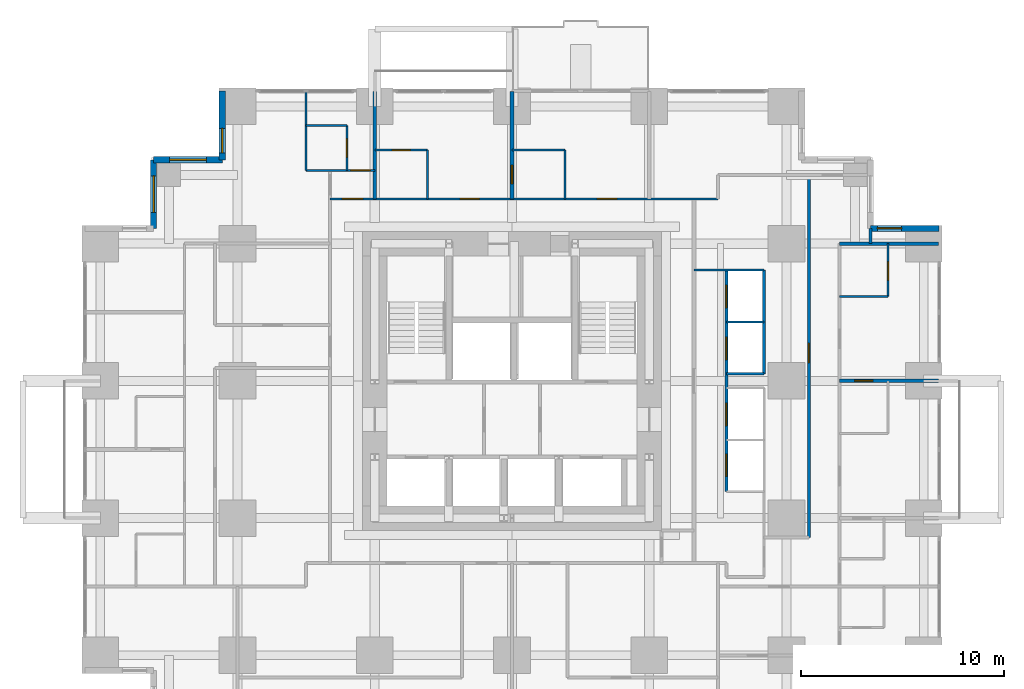
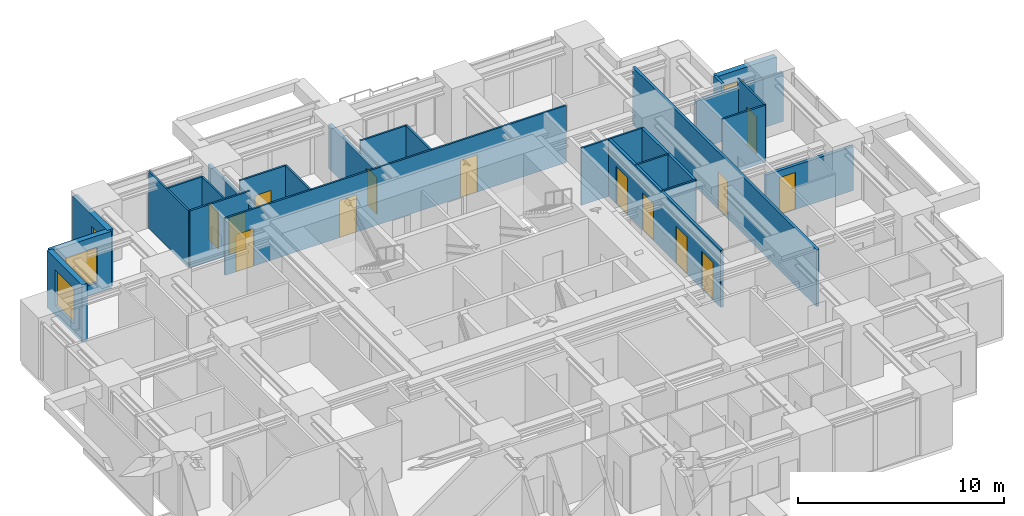
# One storey, part 10 of 12: 26 walls, 14 doors, 4 windows, 18 openings.
"""IFC4 building model written with IfcOpenShell, lengths in metres."""

from ifc_helpers import new_model, si_unit, direction, frame, frame_2d, origin, place, context, subcontext, project, spatial, rectangle, extrude, material, layer, layer_set, type_object, element, fill, save


model = new_model("IFC4")

# Units and contexts
model_context = context("Model", 3, precision=1e-05, world=origin(), true_north=direction((0.0, 1.0)))
body_context = subcontext(model_context, "Body", "Model", "MODEL_VIEW")
ifc_project = project(units=[si_unit("LENGTHUNIT", "METRE"), si_unit("AREAUNIT", "SQUARE_METRE"), si_unit("VOLUMEUNIT", "CUBIC_METRE"), si_unit("PLANEANGLEUNIT", "RADIAN"), si_unit("MASSUNIT", "GRAM", prefix="KILO")], contexts=[model_context])

# Site, building, storey
site_placement = place(None, origin())
site = spatial("IfcSite", under=ifc_project, at=site_placement, CompositionType="ELEMENT")
building_placement = place(site_placement, origin())
building = spatial("IfcBuilding", under=site, at=building_placement, Name="Nyansa Garden Tower", CompositionType="ELEMENT")
storey_placement = place(building_placement, frame((0.0, 0.0, 90.89990234375)))
storey = spatial("IfcBuildingStorey", under=building, at=storey_placement, Name="L24", CompositionType="ELEMENT", Elevation=90.89990234375)

# Wall
ifc_material_1 = material(Name="Dense blockwork, plastered both sides, 55 dB", Category="masonry")
ifc_layer_1 = layer(ifc_material_1, 0.175048828125)
ifc_layer_set_1 = layer_set([ifc_layer_1], Name="Acoustic party wall PW175")
wall_type_1 = type_object("IfcWallType", Name="Acoustic party wall PW175", PredefinedType="PARTITIONING", material=ifc_layer_set_1)
wall_1_placement = place(storey_placement, frame((13.5, 29.199951171875, 0.0), z_axis=(0.0, 0.0, 1.0), x_axis=(0.0, 1.0, 0.0)))
element("IfcWall", 1, at=wall_1_placement, inside=storey, type_object=wall_type_1, Name="Party wall", PredefinedType="PARTITIONING", context=body_context, shape_type="SweptSolid", body=[
    extrude(rectangle(XDim=5.283935546875, YDim=0.175048828125, at=frame_2d((2.64208984375, 0.0))), origin(), (0.0, 0.0, 1.0), 2.610107421875),
])

# Wall, opening, door
wall_2_placement = place(storey_placement, frame((20.25, 29.199951171875, 0.0), z_axis=(0.0, 0.0, 1.0), x_axis=(0.0, 1.0, 0.0)))
wall_2 = element("IfcWall", 2, at=wall_2_placement, inside=storey, type_object=wall_type_1, Name="Party wall", PredefinedType="PARTITIONING", context=body_context, shape_type="SweptSolid", body=[
    extrude(rectangle(XDim=5.283935546875, YDim=0.175048828125, at=frame_2d((2.64208984375, 0.0))), origin(), (0.0, 0.0, 1.0), 2.610107421875),
])
opening_1_placement = place(wall_2_placement, frame((0.75, 0.0, 0.0)))
opening_1 = element("IfcOpeningElement", 3, at=opening_1_placement, cuts=wall_2, Name="Opening D02", PredefinedType="OPENING", context=body_context, shape_type="SweptSolid", body=[
    extrude(rectangle(XDim=0.89990234375, YDim=2.199951171875, at=frame_2d((0.449951171875, 1.10009765625))), frame((0.0, 0.097412109375, 0.0), z_axis=(0.0, -1.0, 0.0), x_axis=(1.0, 0.0, 0.0)), (0.0, 0.0, 1.0), 0.195068359375),
])
ifc_material_2 = material(Name="Timber flush door", Category="wood")
door_type_1 = type_object("IfcDoorType", Name="En-suite door D02 900x2200", OperationType="SINGLE_SWING_RIGHT", PredefinedType="DOOR", material=ifc_material_2)
door_1_placement = place(opening_1_placement, origin())
door_1 = element("IfcDoor", 4, at=door_1_placement, inside=storey, type_object=door_type_1, Name="Door L24-048", OperationType="SINGLE_SWING_RIGHT", OverallHeight=2.199951171875, OverallWidth=0.89990234375, PredefinedType="DOOR", context=body_context, shape_type="SweptSolid", body=[
    extrude(rectangle(XDim=0.89990234375, YDim=2.199951171875, at=frame_2d((0.449951171875, 1.10009765625))), frame((0.0, 0.02490234375, 0.0), z_axis=(0.0, -1.0, 0.0), x_axis=(1.0, 0.0, 0.0)), (0.0, 0.0, 1.0), 0.050048828125),
])
fill(opening_1, door_1)

wall_3_placement = place(storey_placement, frame((36.35009765625, 20.25, 0.0), z_axis=(0.0, 0.0, 1.0), x_axis=(1.0, 0.0, 0.0)))
wall_3 = element("IfcWall", 5, at=wall_3_placement, inside=storey, type_object=wall_type_1, Name="Party wall", PredefinedType="PARTITIONING", context=body_context, shape_type="SweptSolid", body=[
    extrude(rectangle(XDim=4.8837890625, YDim=0.175048828125, at=frame_2d((2.44189453125, 0.0))), origin(), (0.0, 0.0, 1.0), 2.610107421875),
])
opening_2_placement = place(wall_3_placement, frame((0.75, 0.0, 0.0)))
opening_2 = element("IfcOpeningElement", 6, at=opening_2_placement, cuts=wall_3, Name="Opening D02", PredefinedType="OPENING", context=body_context, shape_type="SweptSolid", body=[
    extrude(rectangle(XDim=0.89990234375, YDim=2.199951171875, at=frame_2d((0.449951171875, 1.10009765625))), frame((0.0, 0.097412109375, 0.0), z_axis=(0.0, -1.0, 0.0), x_axis=(1.0, 0.0, 0.0)), (0.0, 0.0, 1.0), 0.195068359375),
])
door_2_placement = place(opening_2_placement, origin())
door_2 = element("IfcDoor", 7, at=door_2_placement, inside=storey, type_object=door_type_1, Name="Door L24-039", OperationType="SINGLE_SWING_RIGHT", OverallHeight=2.199951171875, OverallWidth=0.89990234375, PredefinedType="DOOR", context=body_context, shape_type="SweptSolid", body=[
    extrude(rectangle(XDim=0.89990234375, YDim=2.199951171875, at=frame_2d((0.449951171875, 1.10009765625))), frame((0.0, 0.02490234375, 0.0), z_axis=(0.0, -1.0, 0.0), x_axis=(1.0, 0.0, 0.0)), (0.0, 0.0, 1.0), 0.050048828125),
])
fill(opening_2, door_2)

# Walls
wall_4_placement = place(storey_placement, frame((36.35009765625, 27.0, 0.0), z_axis=(0.0, 0.0, 1.0), x_axis=(1.0, 0.0, 0.0)))
element("IfcWall", 8, at=wall_4_placement, inside=storey, type_object=wall_type_1, Name="Party wall", PredefinedType="PARTITIONING", context=body_context, shape_type="SweptSolid", body=[
    extrude(rectangle(XDim=4.8837890625, YDim=0.175048828125, at=frame_2d((2.44189453125, 0.0))), origin(), (0.0, 0.0, 1.0), 2.877197265625),
])
ifc_material_3 = material(Name="Steel-stud shaft wall, two layers fire-rated board, EI 120", Category="steel")
ifc_layer_2 = layer(ifc_material_3, 0.10009765625)
ifc_layer_set_2 = layer_set([ifc_layer_2], Name="Lift shaft wall SW100")
wall_type_2 = type_object("IfcWallType", Name="Lift shaft wall SW100", PredefinedType="SHEAR", material=ifc_layer_set_2)
wall_5_placement = place(storey_placement, frame((29.199951171875, 25.699951171875, 0.0), z_axis=(0.0, 0.0, 1.0), x_axis=(1.0, 0.0, 0.0)))
element("IfcWall", 9, at=wall_5_placement, inside=storey, type_object=wall_type_2, Name="Lift shaft wall", PredefinedType="SHEAR", context=body_context, shape_type="SweptSolid", body=[
    extrude(rectangle(XDim=3.449951171875, YDim=0.10009765625, at=frame_2d((1.72509765625, 0.0))), origin(), (0.0, 0.0, 1.0), 3.375),
])
for number, where, z_axis, x_axis, name in (
    (10, (30.800048828125, 20.60009765625, 0.0), (0.0, 0.0, 1.0), (1.0, 0.0, 0.0), "Lift shaft wall"),
    (11, (30.800048828125, 23.14990234375, 0.0), (0.0, 0.0, 1.0), (1.0, 0.0, 0.0), "Lift shaft wall"),
):
    element("IfcWall", number, at=place(storey_placement, frame(where, z_axis=z_axis, x_axis=x_axis)), inside=storey, type_object=wall_type_2, Name=name, PredefinedType="SHEAR", context=body_context, shape_type="SweptSolid", body=[
        extrude(rectangle(XDim=1.849853515625, YDim=0.10009765625, at=frame_2d((0.9248046875, 0.0))), origin(), (0.0, 0.0, 1.0), 3.375),
    ])

# Wall, openings, doors
ifc_material_4 = material(Name="Blockwork, plastered both sides", Category="masonry")
ifc_layer_3 = layer(ifc_material_4, 0.14990234375)
ifc_layer_set_3 = layer_set([ifc_layer_3], Name="Partition PW150")
wall_type_3 = type_object("IfcWallType", Name="Partition PW150", PredefinedType="PARTITIONING", material=ifc_layer_set_3)
wall_6_placement = place(storey_placement, frame((30.800048828125, 14.800048828125, 0.0), z_axis=(0.0, 0.0, 1.0), x_axis=(0.0, 1.0, 0.0)))
wall_6 = element("IfcWall", 12, at=wall_6_placement, inside=storey, type_object=wall_type_3, Name="Partition", PredefinedType="PARTITIONING", context=body_context, shape_type="SweptSolid", body=[
    extrude(rectangle(XDim=10.89990234375, YDim=0.14990234375, at=frame_2d((5.449951171875, 0.0))), origin(), (0.0, 0.0, 1.0), 3.375),
])
opening_3_placement = place(wall_6_placement, frame((0.75, 0.0, 0.0)))
opening_3 = element("IfcOpeningElement", 13, at=opening_3_placement, cuts=wall_6, Name="Opening LD-A", PredefinedType="OPENING", context=body_context, shape_type="SweptSolid", body=[
    extrude(rectangle(XDim=1.10009765625, YDim=2.199951171875, at=frame_2d((0.550048828125, 1.10009765625))), frame((0.0, 0.0849609375, 0.0), z_axis=(0.0, -1.0, 0.0), x_axis=(1.0, 0.0, 0.0)), (0.0, 0.0, 1.0), 0.169921875),
])
opening_4_placement = place(wall_6_placement, frame((3.25, 0.0, 0.0)))
opening_4 = element("IfcOpeningElement", 14, at=opening_4_placement, cuts=wall_6, Name="Opening LD-A", PredefinedType="OPENING", context=body_context, shape_type="SweptSolid", body=[
    extrude(rectangle(XDim=1.10009765625, YDim=2.199951171875, at=frame_2d((0.550048828125, 1.10009765625))), frame((0.0, 0.0849609375, 0.0), z_axis=(0.0, -1.0, 0.0), x_axis=(1.0, 0.0, 0.0)), (0.0, 0.0, 1.0), 0.169921875),
])
opening_5_placement = place(wall_6_placement, frame((6.5, 0.0, 0.0)))
opening_5 = element("IfcOpeningElement", 15, at=opening_5_placement, cuts=wall_6, Name="Opening LD-A", PredefinedType="OPENING", context=body_context, shape_type="SweptSolid", body=[
    extrude(rectangle(XDim=1.10009765625, YDim=2.199951171875, at=frame_2d((0.550048828125, 1.10009765625))), frame((0.0, 0.0849609375, 0.0), z_axis=(0.0, -1.0, 0.0), x_axis=(1.0, 0.0, 0.0)), (0.0, 0.0, 1.0), 0.169921875),
])
opening_6_placement = place(wall_6_placement, frame((9.050048828125, 0.0, 0.0)))
opening_6 = element("IfcOpeningElement", 16, at=opening_6_placement, cuts=wall_6, Name="Opening LD-A", PredefinedType="OPENING", context=body_context, shape_type="SweptSolid", body=[
    extrude(rectangle(XDim=1.10009765625, YDim=2.199951171875, at=frame_2d((0.550048828125, 1.10009765625))), frame((0.0, 0.0849609375, 0.0), z_axis=(0.0, -1.0, 0.0), x_axis=(1.0, 0.0, 0.0)), (0.0, 0.0, 1.0), 0.169921875),
])
ifc_material_5 = material(Name="Stainless steel centre-opening landing door of the low-rise lift, E 120", Category="steel")
door_type_2 = type_object("IfcDoorType", Name="Lift landing door LD-A 1100x2200", OperationType="DOUBLE_DOOR_SLIDING", PredefinedType="DOOR", material=ifc_material_5)
door_3_placement = place(opening_3_placement, origin())
door_3 = element("IfcDoor", 17, at=door_3_placement, inside=storey, type_object=door_type_2, Name="Landing door A1", OperationType="DOUBLE_DOOR_SLIDING", OverallHeight=2.199951171875, OverallWidth=1.10009765625, PredefinedType="DOOR", context=body_context, shape_type="SweptSolid", body=[
    extrude(rectangle(XDim=1.10009765625, YDim=2.199951171875, at=frame_2d((0.550048828125, 1.10009765625))), frame((0.0, 0.02490234375, 0.0), z_axis=(0.0, -1.0, 0.0), x_axis=(1.0, 0.0, 0.0)), (0.0, 0.0, 1.0), 0.050048828125),
])
fill(opening_3, door_3)
door_4_placement = place(opening_4_placement, origin())
door_4 = element("IfcDoor", 18, at=door_4_placement, inside=storey, type_object=door_type_2, Name="Landing door A2", OperationType="DOUBLE_DOOR_SLIDING", OverallHeight=2.199951171875, OverallWidth=1.10009765625, PredefinedType="DOOR", context=body_context, shape_type="SweptSolid", body=[
    extrude(rectangle(XDim=1.10009765625, YDim=2.199951171875, at=frame_2d((0.550048828125, 1.10009765625))), frame((0.0, 0.02490234375, 0.0), z_axis=(0.0, -1.0, 0.0), x_axis=(1.0, 0.0, 0.0)), (0.0, 0.0, 1.0), 0.050048828125),
])
fill(opening_4, door_4)
door_5_placement = place(opening_5_placement, origin())
door_5 = element("IfcDoor", 19, at=door_5_placement, inside=storey, type_object=door_type_2, Name="Landing door A3", OperationType="DOUBLE_DOOR_SLIDING", OverallHeight=2.199951171875, OverallWidth=1.10009765625, PredefinedType="DOOR", context=body_context, shape_type="SweptSolid", body=[
    extrude(rectangle(XDim=1.10009765625, YDim=2.199951171875, at=frame_2d((0.550048828125, 1.10009765625))), frame((0.0, 0.02490234375, 0.0), z_axis=(0.0, -1.0, 0.0), x_axis=(1.0, 0.0, 0.0)), (0.0, 0.0, 1.0), 0.050048828125),
])
fill(opening_5, door_5)
door_6_placement = place(opening_6_placement, origin())
door_6 = element("IfcDoor", 20, at=door_6_placement, inside=storey, type_object=door_type_2, Name="Landing door A4", OperationType="DOUBLE_DOOR_SLIDING", OverallHeight=2.199951171875, OverallWidth=1.10009765625, PredefinedType="DOOR", context=body_context, shape_type="SweptSolid", body=[
    extrude(rectangle(XDim=1.10009765625, YDim=2.199951171875, at=frame_2d((0.550048828125, 1.10009765625))), frame((0.0, 0.02490234375, 0.0), z_axis=(0.0, -1.0, 0.0), x_axis=(1.0, 0.0, 0.0)), (0.0, 0.0, 1.0), 0.050048828125),
])
fill(opening_6, door_6)

# Wall
wall_7_placement = place(storey_placement, frame((32.64990234375, 20.60009765625, 0.0), z_axis=(0.0, 0.0, 1.0), x_axis=(0.0, 1.0, 0.0)))
element("IfcWall", 21, at=wall_7_placement, inside=storey, type_object=wall_type_3, Name="Partition", PredefinedType="PARTITIONING", context=body_context, shape_type="SweptSolid", body=[
    extrude(rectangle(XDim=5.099853515625, YDim=0.14990234375, at=frame_2d((2.5498046875, 0.0))), origin(), (0.0, 0.0, 1.0), 3.375),
])

# Wall, opening, door
wall_8_placement = place(storey_placement, frame((34.85009765625, 12.550048828125, 0.0), z_axis=(0.0, 0.0, 1.0), x_axis=(0.0, 1.0, 0.0)))
wall_8 = element("IfcWall", 22, at=wall_8_placement, inside=storey, type_object=wall_type_3, Name="Partition", PredefinedType="PARTITIONING", context=body_context, shape_type="SweptSolid", body=[
    extrude(rectangle(XDim=17.824951171875, YDim=0.14990234375, at=frame_2d((8.91259765625, 0.0))), origin(), (0.0, 0.0, 1.0), 3.375),
])
opening_7_placement = place(wall_8_placement, frame((8.60009765625, 0.0, 0.0)))
opening_7 = element("IfcOpeningElement", 23, at=opening_7_placement, cuts=wall_8, Name="Opening D01", PredefinedType="OPENING", context=body_context, shape_type="SweptSolid", body=[
    extrude(rectangle(XDim=0.949951171875, YDim=2.199951171875, at=frame_2d((0.47509765625, 1.10009765625))), frame((0.0, 0.0849609375, 0.0), z_axis=(0.0, -1.0, 0.0), x_axis=(1.0, 0.0, 0.0)), (0.0, 0.0, 1.0), 0.169921875),
])
ifc_material_6 = material(Name="Timber flush door, 30 minute fire resisting", Category="wood")
door_type_3 = type_object("IfcDoorType", Name="Bedroom door D01 950x2200", OperationType="SINGLE_SWING_LEFT", PredefinedType="DOOR", material=ifc_material_6)
door_7_placement = place(opening_7_placement, origin())
door_7 = element("IfcDoor", 24, at=door_7_placement, inside=storey, type_object=door_type_3, Name="Door L24-043", OperationType="SINGLE_SWING_LEFT", OverallHeight=2.199951171875, OverallWidth=0.949951171875, PredefinedType="DOOR", context=body_context, shape_type="SweptSolid", body=[
    extrude(rectangle(XDim=0.949951171875, YDim=2.199951171875, at=frame_2d((0.47509765625, 1.10009765625))), frame((0.0, 0.02490234375, 0.0), z_axis=(0.0, -1.0, 0.0), x_axis=(1.0, 0.0, 0.0)), (0.0, 0.0, 1.0), 0.050048828125),
])
fill(opening_7, door_7)

# Wall
wall_9_placement = place(storey_placement, frame((37.875, 27.0, 0.0), z_axis=(0.0, 0.0, 1.0), x_axis=(0.0, 1.0, 0.0)))
element("IfcWall", 25, at=wall_9_placement, inside=storey, type_object=wall_type_3, Name="Partition", PredefinedType="PARTITIONING", context=body_context, shape_type="SweptSolid", body=[
    extrude(rectangle(XDim=0.73388671875, YDim=0.14990234375, at=frame_2d((0.366943359375, 0.0))), origin(), (0.0, 0.0, 1.0), 3.375),
])

# Wall, opening, window
ifc_material_7 = material(Name="Turquoise glazed tile on concrete blockwork", Category="masonry")
ifc_layer_4 = layer(ifc_material_7, 0.300048828125)
ifc_layer_set_4 = layer_set([ifc_layer_4], Name="Tiled corner wall TW300")
wall_type_4 = type_object("IfcWallType", Name="Tiled corner wall TW300", PredefinedType="SOLIDWALL", material=ifc_layer_set_4)
wall_10_placement = place(storey_placement, frame((41.25, 27.75, 0.0), z_axis=(0.0, 0.0, 1.0), x_axis=(-1.0, 0.0, 0.0)))
wall_10 = element("IfcWall", 26, at=wall_10_placement, inside=storey, type_object=wall_type_4, Name="Tiled corner wall L24", PredefinedType="SOLIDWALL", context=body_context, shape_type="SweptSolid", body=[
    extrude(rectangle(XDim=3.375, YDim=0.300048828125, at=frame_2d((1.6875, 0.0))), origin(), (0.0, 0.0, 1.0), 3.375),
])
opening_8_placement = place(wall_10_placement, frame((1.83251953125, 0.0, 0.89990234375)))
opening_8 = element("IfcOpeningElement", 27, at=opening_8_placement, cuts=wall_10, Name="Opening W4", PredefinedType="OPENING", context=body_context, shape_type="SweptSolid", body=[
    extrude(rectangle(XDim=1.199951171875, YDim=1.800048828125, at=frame_2d((0.60009765625, 0.89990234375))), frame((0.0, 0.159912109375, 0.0), z_axis=(0.0, -1.0, 0.0), x_axis=(1.0, 0.0, 0.0)), (0.0, 0.0, 1.0), 0.320068359375),
])
ifc_material_8 = material(Name="Black aluminium frame, dark tinted double glazing", Category="aluminium")
window_type_1 = type_object("IfcWindowType", Name="Window W4 1200x1800", PartitioningType="SINGLE_PANEL", PredefinedType="WINDOW", material=ifc_material_8)
window_1_placement = place(opening_8_placement, origin())
window_1 = element("IfcWindow", 28, at=window_1_placement, inside=storey, type_object=window_type_1, Name="Corner window L24", OverallHeight=1.800048828125, OverallWidth=1.199951171875, PartitioningType="SINGLE_PANEL", PredefinedType="WINDOW", context=body_context, shape_type="SweptSolid", body=[
    extrude(rectangle(XDim=1.199951171875, YDim=1.800048828125, at=frame_2d((0.60009765625, 0.89990234375))), frame((0.0, 0.030029296875, 0.0), z_axis=(0.0, -1.0, 0.0), x_axis=(1.0, 0.0, 0.0)), (0.0, 0.0, 1.0), 0.06005859375),
])
fill(opening_8, window_1)

wall_11_placement = place(storey_placement, frame((6.0, 34.5, 0.0), z_axis=(0.0, 0.0, 1.0), x_axis=(0.0, -1.0, 0.0)))
wall_11 = element("IfcWall", 29, at=wall_11_placement, inside=storey, type_object=wall_type_4, Name="Tiled corner wall L24", PredefinedType="SOLIDWALL", context=body_context, shape_type="SweptSolid", body=[
    extrude(rectangle(XDim=3.375, YDim=0.300048828125, at=frame_2d((1.6875, 0.0))), origin(), (0.0, 0.0, 1.0), 3.375),
])
opening_9_placement = place(wall_11_placement, frame((1.83251953125, 0.0, 0.89990234375)))
opening_9 = element("IfcOpeningElement", 30, at=opening_9_placement, cuts=wall_11, Name="Opening W4", PredefinedType="OPENING", context=body_context, shape_type="SweptSolid", body=[
    extrude(rectangle(XDim=1.199951171875, YDim=1.800048828125, at=frame_2d((0.60009765625, 0.89990234375))), frame((0.0, 0.159912109375, 0.0), z_axis=(0.0, -1.0, 0.0), x_axis=(1.0, 0.0, 0.0)), (0.0, 0.0, 1.0), 0.320068359375),
])
window_2_placement = place(opening_9_placement, origin())
window_2 = element("IfcWindow", 31, at=window_2_placement, inside=storey, type_object=window_type_1, Name="Corner window L24", OverallHeight=1.800048828125, OverallWidth=1.199951171875, PartitioningType="SINGLE_PANEL", PredefinedType="WINDOW", context=body_context, shape_type="SweptSolid", body=[
    extrude(rectangle(XDim=1.199951171875, YDim=1.800048828125, at=frame_2d((0.60009765625, 0.89990234375))), frame((0.0, 0.030029296875, 0.0), z_axis=(0.0, -1.0, 0.0), x_axis=(1.0, 0.0, 0.0)), (0.0, 0.0, 1.0), 0.06005859375),
])
fill(opening_9, window_2)

wall_12_placement = place(storey_placement, frame((6.0, 31.125, 0.0), z_axis=(0.0, 0.0, 1.0), x_axis=(-1.0, 0.0, 0.0)))
wall_12 = element("IfcWall", 32, at=wall_12_placement, inside=storey, type_object=wall_type_4, Name="Tiled corner wall L24", PredefinedType="SOLIDWALL", context=body_context, shape_type="SweptSolid", body=[
    extrude(rectangle(XDim=3.375, YDim=0.300048828125, at=frame_2d((1.6875, 0.0))), origin(), (0.0, 0.0, 1.0), 3.375),
])
opening_10_placement = place(wall_12_placement, frame((0.78759765625, 0.0, 0.60009765625)))
opening_10 = element("IfcOpeningElement", 33, at=opening_10_placement, cuts=wall_12, Name="Opening W2", PredefinedType="OPENING", context=body_context, shape_type="SweptSolid", body=[
    extrude(rectangle(XDim=1.800048828125, YDim=2.10009765625, at=frame_2d((0.89990234375, 1.050048828125))), frame((0.0, 0.159912109375, 0.0), z_axis=(0.0, -1.0, 0.0), x_axis=(1.0, 0.0, 0.0)), (0.0, 0.0, 1.0), 0.320068359375),
])
ifc_material_9 = material(Name="Black aluminium frame, dark tinted double glazing", Category="aluminium")
window_type_2 = type_object("IfcWindowType", Name="Window W2 1800x2100", PartitioningType="SINGLE_PANEL", PredefinedType="WINDOW", material=ifc_material_9)
window_3_placement = place(opening_10_placement, origin())
window_3 = element("IfcWindow", 34, at=window_3_placement, inside=storey, type_object=window_type_2, Name="Corner window L24", OverallHeight=2.10009765625, OverallWidth=1.800048828125, PartitioningType="SINGLE_PANEL", PredefinedType="WINDOW", context=body_context, shape_type="SweptSolid", body=[
    extrude(rectangle(XDim=1.800048828125, YDim=2.10009765625, at=frame_2d((0.89990234375, 1.050048828125))), frame((0.0, 0.030029296875, 0.0), z_axis=(0.0, -1.0, 0.0), x_axis=(1.0, 0.0, 0.0)), (0.0, 0.0, 1.0), 0.06005859375),
])
fill(opening_10, window_3)

wall_13_placement = place(storey_placement, frame((2.625, 31.125, 0.0), z_axis=(0.0, 0.0, 1.0), x_axis=(0.0, -1.0, 0.0)))
wall_13 = element("IfcWall", 35, at=wall_13_placement, inside=storey, type_object=wall_type_4, Name="Tiled corner wall L24", PredefinedType="SOLIDWALL", context=body_context, shape_type="SweptSolid", body=[
    extrude(rectangle(XDim=3.375, YDim=0.300048828125, at=frame_2d((1.6875, 0.0))), origin(), (0.0, 0.0, 1.0), 3.375),
])
opening_11_placement = place(wall_13_placement, frame((0.78759765625, 0.0, 0.60009765625)))
opening_11 = element("IfcOpeningElement", 36, at=opening_11_placement, cuts=wall_13, Name="Opening W2", PredefinedType="OPENING", context=body_context, shape_type="SweptSolid", body=[
    extrude(rectangle(XDim=1.800048828125, YDim=2.10009765625, at=frame_2d((0.89990234375, 1.050048828125))), frame((0.0, 0.159912109375, 0.0), z_axis=(0.0, -1.0, 0.0), x_axis=(1.0, 0.0, 0.0)), (0.0, 0.0, 1.0), 0.320068359375),
])
window_4_placement = place(opening_11_placement, origin())
window_4 = element("IfcWindow", 37, at=window_4_placement, inside=storey, type_object=window_type_2, Name="Corner window L24", OverallHeight=2.10009765625, OverallWidth=1.800048828125, PartitioningType="SINGLE_PANEL", PredefinedType="WINDOW", context=body_context, shape_type="SweptSolid", body=[
    extrude(rectangle(XDim=1.800048828125, YDim=2.10009765625, at=frame_2d((0.89990234375, 1.050048828125))), frame((0.0, 0.030029296875, 0.0), z_axis=(0.0, -1.0, 0.0), x_axis=(1.0, 0.0, 0.0)), (0.0, 0.0, 1.0), 0.06005859375),
])
fill(opening_11, window_4)

# Wall
ifc_material_10 = material(Name="Moisture resistant board on steel studs, tiled", Category="steel")
ifc_layer_5 = layer(ifc_material_10, 0.10009765625)
ifc_layer_set_5 = layer_set([ifc_layer_5], Name="Wet wall PW100")
wall_type_5 = type_object("IfcWallType", Name="Wet wall PW100", PredefinedType="PARTITIONING", material=ifc_layer_set_5)
wall_14_placement = place(storey_placement, frame((10.125, 30.60009765625, 0.0), z_axis=(0.0, 0.0, 1.0), x_axis=(0.0, 1.0, 0.0)))
element("IfcWall", 38, at=wall_14_placement, inside=storey, type_object=wall_type_5, Name="Wet wall", PredefinedType="PARTITIONING", context=body_context, shape_type="SweptSolid", body=[
    extrude(rectangle(XDim=3.8837890625, YDim=0.10009765625, at=frame_2d((1.94189453125, 0.0))), origin(), (0.0, 0.0, 1.0), 3.375),
])

# Wall, opening, door
wall_15_placement = place(storey_placement, frame((10.125, 30.60009765625, 0.0), z_axis=(0.0, 0.0, 1.0), x_axis=(1.0, 0.0, 0.0)))
wall_15 = element("IfcWall", 39, at=wall_15_placement, inside=storey, type_object=wall_type_5, Name="Wet wall", PredefinedType="PARTITIONING", context=body_context, shape_type="SweptSolid", body=[
    extrude(rectangle(XDim=3.375, YDim=0.10009765625, at=frame_2d((1.6875, 0.0))), origin(), (0.0, 0.0, 1.0), 3.375),
])
opening_12_placement = place(wall_15_placement, frame((2.199951171875, 0.0, 0.0)))
opening_12 = element("IfcOpeningElement", 40, at=opening_12_placement, cuts=wall_15, Name="Opening D14", PredefinedType="OPENING", context=body_context, shape_type="SweptSolid", body=[
    extrude(rectangle(XDim=0.949951171875, YDim=2.199951171875, at=frame_2d((0.47509765625, 1.10009765625))), frame((0.0, 0.06005859375, 0.0), z_axis=(0.0, -1.0, 0.0), x_axis=(1.0, 0.0, 0.0)), (0.0, 0.0, 1.0), 0.1201171875),
])
ifc_material_11 = material(Name="Timber flush door, 60 minute fire resisting, self-closing", Category="wood")
door_type_4 = type_object("IfcDoorType", Name="Studio entrance door D14 950x2200", OperationType="SINGLE_SWING_LEFT", PredefinedType="DOOR", material=ifc_material_11)
door_8_placement = place(opening_12_placement, origin())
door_8 = element("IfcDoor", 41, at=door_8_placement, inside=storey, type_object=door_type_4, Name="Door L24-049", OperationType="SINGLE_SWING_LEFT", OverallHeight=2.199951171875, OverallWidth=0.949951171875, PredefinedType="DOOR", context=body_context, shape_type="SweptSolid", body=[
    extrude(rectangle(XDim=0.949951171875, YDim=2.199951171875, at=frame_2d((0.47509765625, 1.10009765625))), frame((0.0, 0.02490234375, 0.0), z_axis=(0.0, -1.0, 0.0), x_axis=(1.0, 0.0, 0.0)), (0.0, 0.0, 1.0), 0.050048828125),
])
fill(opening_12, door_8)

# Wall
wall_16_placement = place(storey_placement, frame((10.125, 32.800048828125, 0.0), z_axis=(0.0, 0.0, 1.0), x_axis=(1.0, 0.0, 0.0)))
element("IfcWall", 42, at=wall_16_placement, inside=storey, type_object=wall_type_5, Name="Wet wall", PredefinedType="PARTITIONING", context=body_context, shape_type="SweptSolid", body=[
    extrude(rectangle(XDim=2.0, YDim=0.10009765625, at=frame_2d((1.0, 0.0))), origin(), (0.0, 0.0, 1.0), 3.375),
])

# Wall, openings, doors
wall_17_placement = place(storey_placement, frame((11.300048828125, 29.199951171875, 0.0), z_axis=(0.0, 0.0, 1.0), x_axis=(1.0, 0.0, 0.0)))
wall_17 = element("IfcWall", 43, at=wall_17_placement, inside=storey, type_object=wall_type_5, Name="Wet wall", PredefinedType="PARTITIONING", context=body_context, shape_type="SweptSolid", body=[
    extrude(rectangle(XDim=19.074951171875, YDim=0.10009765625, at=frame_2d((9.53759765625, 0.0))), origin(), (0.0, 0.0, 1.0), 3.375),
])
opening_13_placement = place(wall_17_placement, frame((6.39990234375, 0.0, 0.0)))
opening_13 = element("IfcOpeningElement", 44, at=opening_13_placement, cuts=wall_17, Name="Opening D14", PredefinedType="OPENING", context=body_context, shape_type="SweptSolid", body=[
    extrude(rectangle(XDim=0.949951171875, YDim=2.199951171875, at=frame_2d((0.47509765625, 1.10009765625))), frame((0.0, 0.06005859375, 0.0), z_axis=(0.0, -1.0, 0.0), x_axis=(1.0, 0.0, 0.0)), (0.0, 0.0, 1.0), 0.1201171875),
])
opening_14_placement = place(wall_17_placement, frame((13.14990234375, 0.0, 0.0)))
opening_14 = element("IfcOpeningElement", 45, at=opening_14_placement, cuts=wall_17, Name="Opening D14", PredefinedType="OPENING", context=body_context, shape_type="SweptSolid", body=[
    extrude(rectangle(XDim=0.949951171875, YDim=2.199951171875, at=frame_2d((0.47509765625, 1.10009765625))), frame((0.0, 0.06005859375, 0.0), z_axis=(0.0, -1.0, 0.0), x_axis=(1.0, 0.0, 0.0)), (0.0, 0.0, 1.0), 0.1201171875),
])
opening_15_placement = place(wall_17_placement, frame((0.60009765625, 0.0, 0.0)))
opening_15 = element("IfcOpeningElement", 46, at=opening_15_placement, cuts=wall_17, Name="Opening D03", PredefinedType="OPENING", context=body_context, shape_type="SweptSolid", body=[
    extrude(rectangle(XDim=1.0, YDim=2.199951171875, at=frame_2d((0.5, 1.10009765625))), frame((0.0, 0.06005859375, 0.0), z_axis=(0.0, -1.0, 0.0), x_axis=(1.0, 0.0, 0.0)), (0.0, 0.0, 1.0), 0.1201171875),
])
ifc_material_12 = material(Name="Timber flush door, 60 minute fire resisting", Category="wood")
door_type_5 = type_object("IfcDoorType", Name="Cluster entrance door D03 1000x2200", OperationType="SINGLE_SWING_LEFT", PredefinedType="DOOR", material=ifc_material_12)
door_9_placement = place(opening_15_placement, origin())
door_9 = element("IfcDoor", 47, at=door_9_placement, inside=storey, type_object=door_type_5, Name="Door L24-051", OperationType="SINGLE_SWING_LEFT", OverallHeight=2.199951171875, OverallWidth=1.0, PredefinedType="DOOR", context=body_context, shape_type="SweptSolid", body=[
    extrude(rectangle(XDim=1.0, YDim=2.199951171875, at=frame_2d((0.5, 1.10009765625))), frame((0.0, 0.02490234375, 0.0), z_axis=(0.0, -1.0, 0.0), x_axis=(1.0, 0.0, 0.0)), (0.0, 0.0, 1.0), 0.050048828125),
])
fill(opening_15, door_9)
door_10_placement = place(opening_13_placement, origin())
door_10 = element("IfcDoor", 48, at=door_10_placement, inside=storey, type_object=door_type_4, Name="Door L24-045", OperationType="SINGLE_SWING_LEFT", OverallHeight=2.199951171875, OverallWidth=0.949951171875, PredefinedType="DOOR", context=body_context, shape_type="SweptSolid", body=[
    extrude(rectangle(XDim=0.949951171875, YDim=2.199951171875, at=frame_2d((0.47509765625, 1.10009765625))), frame((0.0, 0.02490234375, 0.0), z_axis=(0.0, -1.0, 0.0), x_axis=(1.0, 0.0, 0.0)), (0.0, 0.0, 1.0), 0.050048828125),
])
fill(opening_13, door_10)
door_11_placement = place(opening_14_placement, origin())
door_11 = element("IfcDoor", 49, at=door_11_placement, inside=storey, type_object=door_type_4, Name="Door L24-047", OperationType="SINGLE_SWING_LEFT", OverallHeight=2.199951171875, OverallWidth=0.949951171875, PredefinedType="DOOR", context=body_context, shape_type="SweptSolid", body=[
    extrude(rectangle(XDim=0.949951171875, YDim=2.199951171875, at=frame_2d((0.47509765625, 1.10009765625))), frame((0.0, 0.02490234375, 0.0), z_axis=(0.0, -1.0, 0.0), x_axis=(1.0, 0.0, 0.0)), (0.0, 0.0, 1.0), 0.050048828125),
])
fill(opening_14, door_11)

# Wall, opening, door
wall_18_placement = place(storey_placement, frame((12.125, 30.60009765625, 0.0), z_axis=(0.0, 0.0, 1.0), x_axis=(0.0, 1.0, 0.0)))
wall_18 = element("IfcWall", 50, at=wall_18_placement, inside=storey, type_object=wall_type_5, Name="Wet wall", PredefinedType="PARTITIONING", context=body_context, shape_type="SweptSolid", body=[
    extrude(rectangle(XDim=2.199951171875, YDim=0.10009765625, at=frame_2d((1.10009765625, 0.0))), origin(), (0.0, 0.0, 1.0), 3.375),
])
opening_16_placement = place(wall_18_placement, frame((0.64990234375, 0.0, 0.0)))
opening_16 = element("IfcOpeningElement", 51, at=opening_16_placement, cuts=wall_18, Name="Opening D02", PredefinedType="OPENING", context=body_context, shape_type="SweptSolid", body=[
    extrude(rectangle(XDim=0.89990234375, YDim=2.199951171875, at=frame_2d((0.449951171875, 1.10009765625))), frame((0.0, 0.06005859375, 0.0), z_axis=(0.0, -1.0, 0.0), x_axis=(1.0, 0.0, 0.0)), (0.0, 0.0, 1.0), 0.1201171875),
])
door_12_placement = place(opening_16_placement, origin())
door_12 = element("IfcDoor", 52, at=door_12_placement, inside=storey, type_object=door_type_1, Name="Door L24-050", OperationType="SINGLE_SWING_RIGHT", OverallHeight=2.199951171875, OverallWidth=0.89990234375, PredefinedType="DOOR", context=body_context, shape_type="SweptSolid", body=[
    extrude(rectangle(XDim=0.89990234375, YDim=2.199951171875, at=frame_2d((0.449951171875, 1.10009765625))), frame((0.0, 0.02490234375, 0.0), z_axis=(0.0, -1.0, 0.0), x_axis=(1.0, 0.0, 0.0)), (0.0, 0.0, 1.0), 0.050048828125),
])
fill(opening_16, door_12)

wall_19_placement = place(storey_placement, frame((13.5, 31.60009765625, 0.0), z_axis=(0.0, 0.0, 1.0), x_axis=(1.0, 0.0, 0.0)))
wall_19 = element("IfcWall", 53, at=wall_19_placement, inside=storey, type_object=wall_type_5, Name="Wet wall", PredefinedType="PARTITIONING", context=body_context, shape_type="SweptSolid", body=[
    extrude(rectangle(XDim=2.60009765625, YDim=0.10009765625, at=frame_2d((1.300048828125, 0.0))), origin(), (0.0, 0.0, 1.0), 3.375),
])
opening_17_placement = place(wall_19_placement, frame((0.85009765625, 0.0, 0.0)))
opening_17 = element("IfcOpeningElement", 54, at=opening_17_placement, cuts=wall_19, Name="Opening D02", PredefinedType="OPENING", context=body_context, shape_type="SweptSolid", body=[
    extrude(rectangle(XDim=0.89990234375, YDim=2.199951171875, at=frame_2d((0.449951171875, 1.10009765625))), frame((0.0, 0.06005859375, 0.0), z_axis=(0.0, -1.0, 0.0), x_axis=(1.0, 0.0, 0.0)), (0.0, 0.0, 1.0), 0.1201171875),
])
door_13_placement = place(opening_17_placement, origin())
door_13 = element("IfcDoor", 55, at=door_13_placement, inside=storey, type_object=door_type_1, Name="Door L24-046", OperationType="SINGLE_SWING_RIGHT", OverallHeight=2.199951171875, OverallWidth=0.89990234375, PredefinedType="DOOR", context=body_context, shape_type="SweptSolid", body=[
    extrude(rectangle(XDim=0.89990234375, YDim=2.199951171875, at=frame_2d((0.449951171875, 1.10009765625))), frame((0.0, 0.02490234375, 0.0), z_axis=(0.0, -1.0, 0.0), x_axis=(1.0, 0.0, 0.0)), (0.0, 0.0, 1.0), 0.050048828125),
])
fill(opening_17, door_13)

# Walls
wall_20_placement = place(storey_placement, frame((16.10009765625, 29.199951171875, 0.0), z_axis=(0.0, 0.0, 1.0), x_axis=(0.0, 1.0, 0.0)))
element("IfcWall", 56, at=wall_20_placement, inside=storey, type_object=wall_type_5, Name="Wet wall", PredefinedType="PARTITIONING", context=body_context, shape_type="SweptSolid", body=[
    extrude(rectangle(XDim=2.400146484375, YDim=0.10009765625, at=frame_2d((1.2001953125, 0.0))), origin(), (0.0, 0.0, 1.0), 3.375),
])
wall_21_placement = place(storey_placement, frame((20.25, 31.60009765625, 0.0), z_axis=(0.0, 0.0, 1.0), x_axis=(1.0, 0.0, 0.0)))
element("IfcWall", 57, at=wall_21_placement, inside=storey, type_object=wall_type_5, Name="Wet wall", PredefinedType="PARTITIONING", context=body_context, shape_type="SweptSolid", body=[
    extrude(rectangle(XDim=2.60009765625, YDim=0.10009765625, at=frame_2d((1.300048828125, 0.0))), origin(), (0.0, 0.0, 1.0), 3.375),
])
wall_22_placement = place(storey_placement, frame((22.85009765625, 29.199951171875, 0.0), z_axis=(0.0, 0.0, 1.0), x_axis=(0.0, 1.0, 0.0)))
element("IfcWall", 58, at=wall_22_placement, inside=storey, type_object=wall_type_5, Name="Wet wall", PredefinedType="PARTITIONING", context=body_context, shape_type="SweptSolid", body=[
    extrude(rectangle(XDim=2.400146484375, YDim=0.10009765625, at=frame_2d((1.2001953125, 0.0))), origin(), (0.0, 0.0, 1.0), 3.375),
])
wall_23_placement = place(storey_placement, frame((36.35009765625, 24.39990234375, 0.0), z_axis=(0.0, 0.0, 1.0), x_axis=(1.0, 0.0, 0.0)))
element("IfcWall", 59, at=wall_23_placement, inside=storey, type_object=wall_type_5, Name="Wet wall", PredefinedType="PARTITIONING", context=body_context, shape_type="SweptSolid", body=[
    extrude(rectangle(XDim=2.39990234375, YDim=0.10009765625, at=frame_2d((1.199951171875, 0.0))), origin(), (0.0, 0.0, 1.0), 3.375),
])

# Wall, opening, door
wall_24_placement = place(storey_placement, frame((38.75, 24.39990234375, 0.0), z_axis=(0.0, 0.0, 1.0), x_axis=(0.0, 1.0, 0.0)))
wall_24 = element("IfcWall", 60, at=wall_24_placement, inside=storey, type_object=wall_type_5, Name="Wet wall", PredefinedType="PARTITIONING", context=body_context, shape_type="SweptSolid", body=[
    extrude(rectangle(XDim=2.60009765625, YDim=0.10009765625, at=frame_2d((1.300048828125, 0.0))), origin(), (0.0, 0.0, 1.0), 3.375),
])
opening_18_placement = place(wall_24_placement, frame((0.800048828125, 0.0, 0.0)))
opening_18 = element("IfcOpeningElement", 61, at=opening_18_placement, cuts=wall_24, Name="Opening D02", PredefinedType="OPENING", context=body_context, shape_type="SweptSolid", body=[
    extrude(rectangle(XDim=0.89990234375, YDim=2.199951171875, at=frame_2d((0.449951171875, 1.10009765625))), frame((0.0, 0.06005859375, 0.0), z_axis=(0.0, -1.0, 0.0), x_axis=(1.0, 0.0, 0.0)), (0.0, 0.0, 1.0), 0.1201171875),
])
door_14_placement = place(opening_18_placement, origin())
door_14 = element("IfcDoor", 62, at=door_14_placement, inside=storey, type_object=door_type_1, Name="Door L24-037", OperationType="SINGLE_SWING_RIGHT", OverallHeight=2.199951171875, OverallWidth=0.89990234375, PredefinedType="DOOR", context=body_context, shape_type="SweptSolid", body=[
    extrude(rectangle(XDim=0.89990234375, YDim=2.199951171875, at=frame_2d((0.449951171875, 1.10009765625))), frame((0.0, 0.02490234375, 0.0), z_axis=(0.0, -1.0, 0.0), x_axis=(1.0, 0.0, 0.0)), (0.0, 0.0, 1.0), 0.050048828125),
])
fill(opening_18, door_14)

save(model, "model.ifc")
